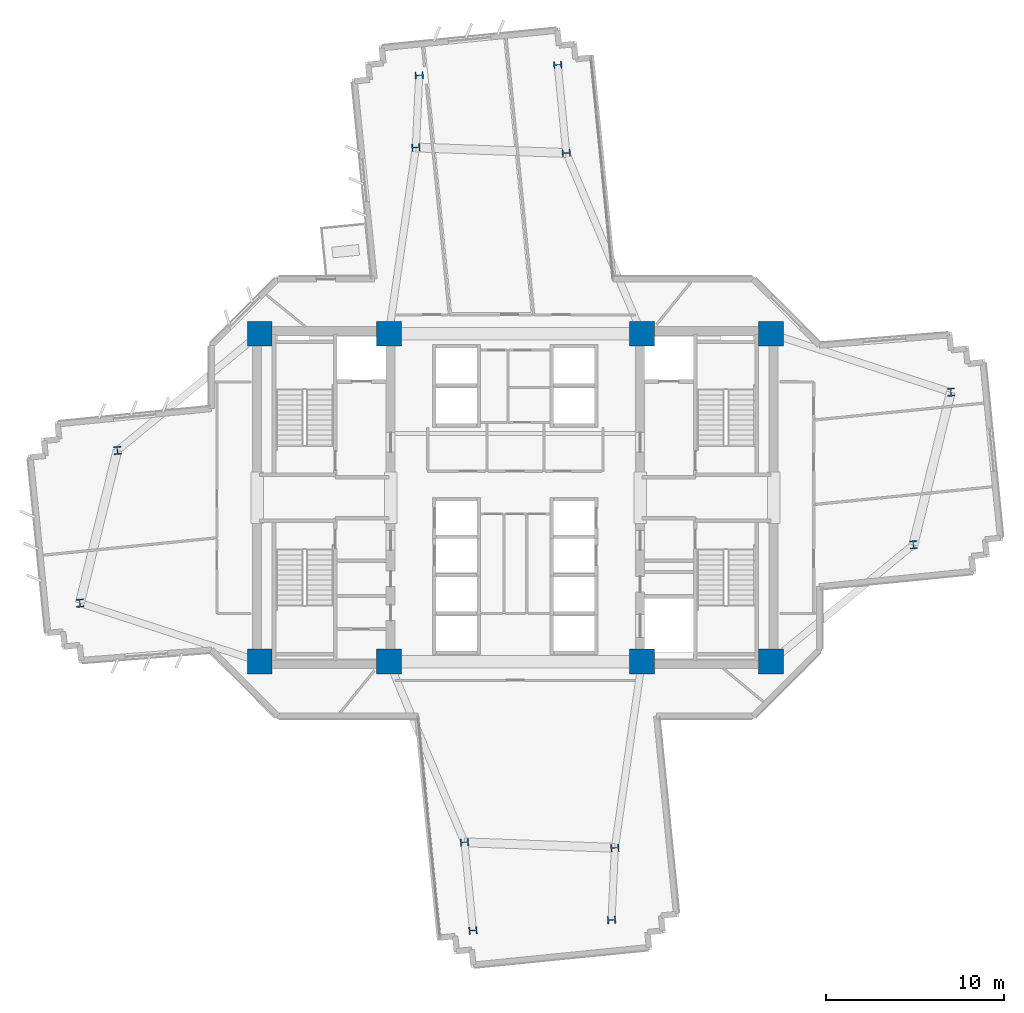
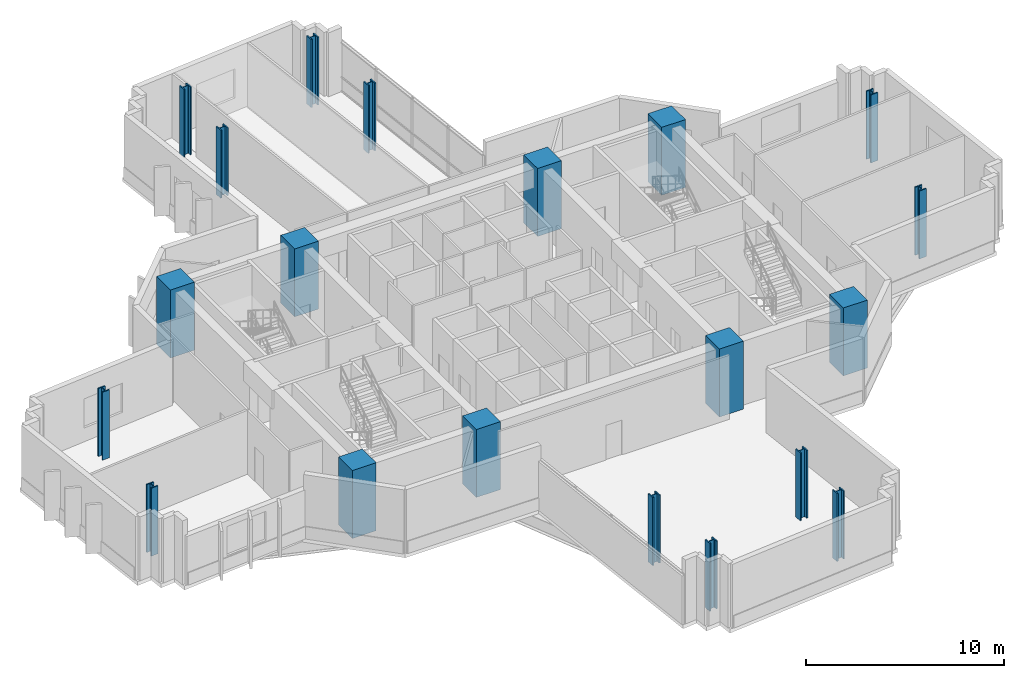
# One storey, part 1 of 14: 20 columns.
"""IFC4 building model written with IfcOpenShell, lengths in metres."""

from ifc_helpers import new_model, si_unit, direction, frame, origin, origin_2d, place, context, subcontext, project, spatial, rectangle, i_section, extrude, source, transform, mapped, material, material_profile, profile_set, type_object, element, save


model = new_model("IFC4")

# Units and contexts
model_context = context("Model", 3, precision=1e-05, world=origin(), true_north=direction((0.0, 1.0)))
body_context = subcontext(model_context, "Body", "Model", "MODEL_VIEW")
ifc_project = project(units=[si_unit("LENGTHUNIT", "METRE"), si_unit("AREAUNIT", "SQUARE_METRE"), si_unit("VOLUMEUNIT", "CUBIC_METRE"), si_unit("PLANEANGLEUNIT", "RADIAN"), si_unit("MASSUNIT", "GRAM", prefix="KILO")], contexts=[model_context])

# Site, building, storey
site_placement = place(None, origin())
site = spatial("IfcSite", under=ifc_project, at=site_placement, CompositionType="ELEMENT")
building_placement = place(site_placement, origin())
building = spatial("IfcBuilding", under=site, at=building_placement, Name="Zahravan Cultural Tower", CompositionType="ELEMENT")
storey_placement = place(building_placement, frame((0.0, 0.0, 100.5)))
storey = spatial("IfcBuildingStorey", under=building, at=storey_placement, Name="L22", CompositionType="ELEMENT", Elevation=100.5)

# Columns
ifc_material_1 = material(Name="Concrete C60/75", Category="concrete")
ifc_material_profile_1 = material_profile(ifc_material_1, rectangle(XDim=1.39990234375, YDim=1.39990234375, at=origin_2d()), Name="RC1400X1400")
ifc_profile_set_1 = profile_set([ifc_material_profile_1], Name="Concrete C60/75")
column_type_1 = type_object("IfcColumnType", Name="COL-RC1400", PredefinedType="COLUMN", material=ifc_profile_set_1)
shared_shape_1 = source(origin(), body_context, "Body", "SweptSolid", [
    extrude(rectangle(XDim=1.39990234375, YDim=1.39990234375, at=origin_2d()), origin(), (0.0, 0.0, 1.0), 4.199951171875),
])
for number, where, z_axis, x_axis, name in (
    (1, (21.64990234375, 17.800048828125, 0.0), (0.0, 0.0, 1.0), (1.0, 0.0, 0.0), "L22 Column CC-W1"),
    (2, (28.89990234375, 17.800048828125, 0.0), (0.0, 0.0, 1.0), (1.0, 0.0, 0.0), "L22 Column CC-W2"),
    (3, (21.64990234375, 36.199951171875, 0.0), (0.0, 0.0, 1.0), (1.0, 0.0, 0.0), "L22 Column CC-W3"),
    (4, (28.89990234375, 36.199951171875, 0.0), (0.0, 0.0, 1.0), (1.0, 0.0, 0.0), "L22 Column CC-W4"),
    (5, (43.10009765625, 17.800048828125, 0.0), (0.0, 0.0, 1.0), (1.0, 0.0, 0.0), "L22 Column CC-E1"),
    (6, (50.35009765625, 17.800048828125, 0.0), (0.0, 0.0, 1.0), (1.0, 0.0, 0.0), "L22 Column CC-E2"),
    (7, (43.10009765625, 36.199951171875, 0.0), (0.0, 0.0, 1.0), (1.0, 0.0, 0.0), "L22 Column CC-E3"),
    (8, (50.35009765625, 36.199951171875, 0.0), (0.0, 0.0, 1.0), (1.0, 0.0, 0.0), "L22 Column CC-E4"),
):
    element("IfcColumn", number, at=place(storey_placement, frame(where, z_axis=z_axis, x_axis=x_axis)), inside=storey, type_object=column_type_1, Name=name, PredefinedType="COLUMN", context=body_context, shape_type="MappedRepresentation", body=[
        mapped(shared_shape_1, transform((0.0, 0.0, 0.0), x_axis=(1.0, 0.0, 0.0), y_axis=(0.0, 1.0, 0.0), z_axis=(0.0, 0.0, 1.0), scale=1.0)),
    ])
ifc_material_2 = material(Name="Steel ASTM A992 Grade 50", Category="steel")
ifc_material_profile_2 = material_profile(ifc_material_2, i_section(OverallWidth=0.4208984375, OverallDepth=0.465087890625, WebThickness=0.044921875, FlangeThickness=0.072509765625, FilletRadius=0.01806640625, at=origin_2d()), Name="W14X398")
ifc_profile_set_2 = profile_set([ifc_material_profile_2], Name="Steel ASTM A992 Grade 50")
column_type_2 = type_object("IfcColumnType", Name="COL-W14X398", PredefinedType="COLUMN", material=ifc_profile_set_2)
shared_shape_2 = source(origin(), body_context, "Body", "SweptSolid", [
    extrude(i_section(OverallWidth=0.4208984375, OverallDepth=0.465087890625, WebThickness=0.044921875, FlangeThickness=0.072509765625, FilletRadius=0.01806640625, at=origin_2d()), origin(), (0.0, 0.0, 1.0), 4.199951171875),
])
for number, where, z_axis, x_axis, name in (
    (9, (58.339111328125, 24.351806640625, 0.0), (0.0, 0.0, 1.0), (0.99756405026, 0.069756473744, 0.0), "L22 Column Z1C-E1"),
    (10, (60.446533203125, 32.919677734375, 0.0), (0.0, 0.0, 1.0), (0.99756405026, 0.069756473744, 0.0), "L22 Column Z1C-E2"),
    (11, (38.857421875, 46.346435546875, 0.0), (0.0, 0.0, 1.0), (-0.069756473744, 0.99756405026, 0.0), "L22 Column Z1C-N1"),
    (12, (30.4150390625, 46.658203125, 0.0), (0.0, 0.0, 1.0), (-0.069756473744, 0.99756405026, 0.0), "L22 Column Z1C-N2"),
    (13, (13.660888671875, 29.648193359375, 0.0), (0.0, 0.0, 1.0), (0.99756405026, 0.069756473744, 0.0), "L22 Column Z1C-W1"),
    (14, (11.553466796875, 21.080322265625, 0.0), (0.0, 0.0, 1.0), (0.99756405026, 0.069756473744, 0.0), "L22 Column Z1C-W2"),
    (15, (33.142578125, 7.653564453125, 0.0), (0.0, 0.0, 1.0), (-0.069756473744, 0.99756405026, 0.0), "L22 Column Z1C-S1"),
    (16, (41.5849609375, 7.341796875, 0.0), (0.0, 0.0, 1.0), (-0.069756473744, 0.99756405026, 0.0), "L22 Column Z1C-S2"),
    (17, (38.379150390625, 51.29736328125, 0.0), (0.0, 0.0, 1.0), (-0.062790519529, 0.998026728428, 0.0), "L22 Column Z1T-N1"),
    (18, (30.6005859375, 50.707763671875, 0.0), (0.0, 0.0, 1.0), (-0.062790519529, 0.998026728428, 0.0), "L22 Column Z1T-N2"),
    (19, (33.620849609375, 2.70263671875, 0.0), (0.0, 0.0, 1.0), (-0.062790519529, 0.998026728428, 0.0), "L22 Column Z1T-S1"),
    (20, (41.3994140625, 3.292236328125, 0.0), (0.0, 0.0, 1.0), (-0.062790519529, 0.998026728428, 0.0), "L22 Column Z1T-S2"),
):
    element("IfcColumn", number, at=place(storey_placement, frame(where, z_axis=z_axis, x_axis=x_axis)), inside=storey, type_object=column_type_2, Name=name, PredefinedType="COLUMN", context=body_context, shape_type="MappedRepresentation", body=[
        mapped(shared_shape_2, transform((0.0, 0.0, 0.0), x_axis=(1.0, 0.0, 0.0), y_axis=(0.0, 1.0, 0.0), z_axis=(0.0, 0.0, 1.0), scale=1.0)),
    ])

save(model, "model.ifc")
